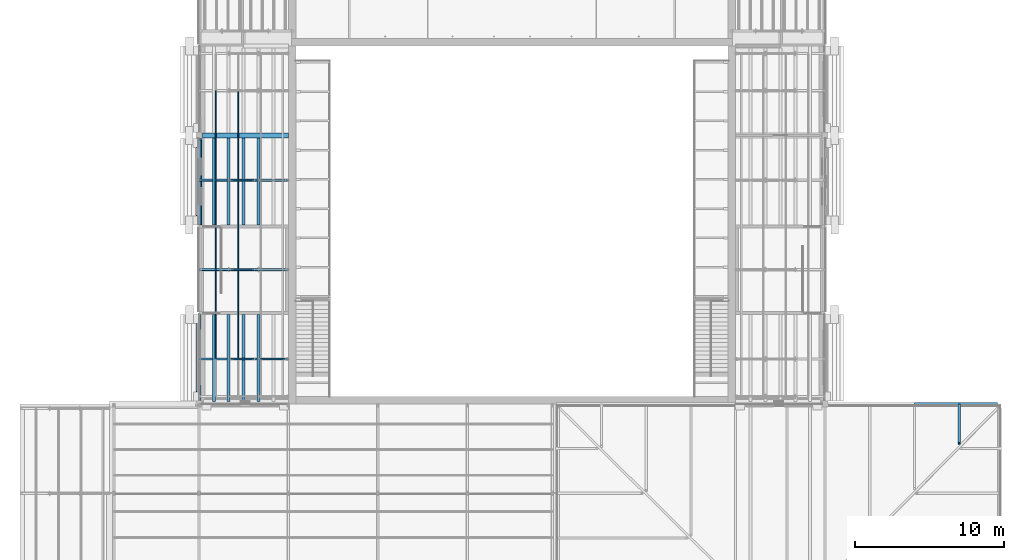
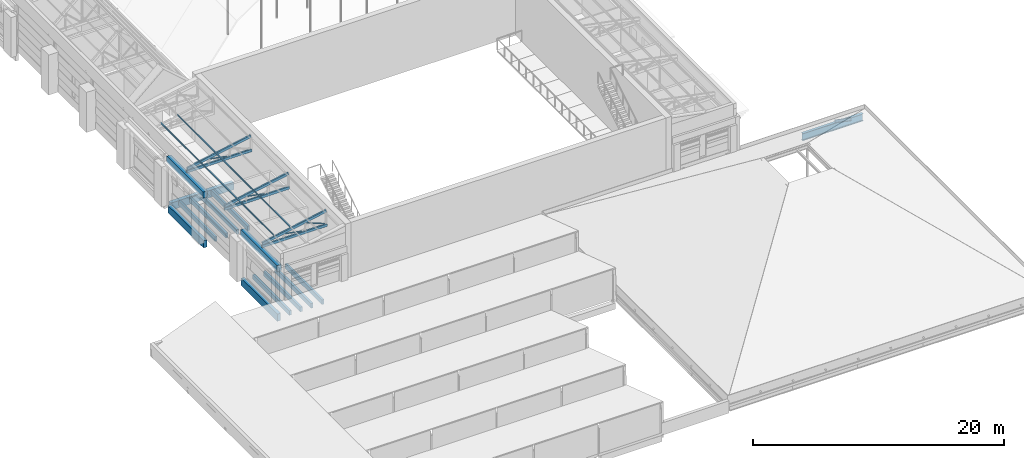
# One storey, part 25 of 118: 17 members, 14 beams.
"""IFC4 building model written with IfcOpenShell, lengths in metres."""

from ifc_helpers import new_model, si_unit, direction, frame, origin, origin_2d, place, context, subcontext, project, spatial, rectangle, hollow_rectangle, hollow_circle, i_section, extrude, material, material_profile, profile_set, type_object, element, save


model = new_model("IFC4")

# Units and contexts
model_context = context("Model", 3, precision=1e-05, world=origin(), true_north=direction((0.0, 1.0)))
body_context = subcontext(model_context, "Body", "Model", "MODEL_VIEW")
ifc_project = project(units=[si_unit("LENGTHUNIT", "METRE"), si_unit("AREAUNIT", "SQUARE_METRE"), si_unit("VOLUMEUNIT", "CUBIC_METRE"), si_unit("PLANEANGLEUNIT", "RADIAN"), si_unit("MASSUNIT", "GRAM", prefix="KILO")], contexts=[model_context])

# Site, building, storey
site_placement = place(None, origin())
site = spatial("IfcSite", under=ifc_project, at=site_placement, CompositionType="ELEMENT")
building_placement = place(site_placement, origin())
building = spatial("IfcBuilding", under=site, at=building_placement, Name="Saffron Lane Theatres", CompositionType="ELEMENT")
storey_placement = place(building_placement, frame((0.0, 0.0, 16.5)))
storey = spatial("IfcBuildingStorey", under=building, at=storey_placement, Name="L03", CompositionType="ELEMENT", Elevation=16.5)

# Beams
ifc_material_1 = material(Name="Concrete N40 (40 MPa)", Category="concrete")
ifc_material_profile_1 = material_profile(ifc_material_1, rectangle(XDim=0.300048828125, YDim=0.699951171875, at=origin_2d()))
ifc_profile_set_1 = profile_set([ifc_material_profile_1], Name="Concrete N40 (40 MPa)")
beam_type_1 = type_object("IfcBeamType", Name="RC-BEAM 300x700", PredefinedType="BEAM", material=ifc_profile_set_1)
beam_1_placement = place(storey_placement, frame((12.0, 30.22509765625, -0.60009765625), z_axis=(0.0, 1.0, 0.0), x_axis=(-1.0, 0.0, 0.0)))
element("IfcBeam", 1, at=beam_1_placement, inside=storey, type_object=beam_type_1, Name="beam-L03-y120-302", PredefinedType="BEAM", context=body_context, shape_type="SweptSolid", body=[
    extrude(rectangle(XDim=0.300048828125, YDim=0.699951171875, at=origin_2d()), origin(), (0.0, 0.0, 1.0), 5.77490234375),
])
beam_2_placement = place(storey_placement, frame((12.0, 42.0, -0.60009765625), z_axis=(0.0, 1.0, 0.0), x_axis=(-1.0, 0.0, 0.0)))
element("IfcBeam", 2, at=beam_2_placement, inside=storey, type_object=beam_type_1, Name="beam-L03-y120-420", PredefinedType="BEAM", context=body_context, shape_type="SweptSolid", body=[
    extrude(rectangle(XDim=0.300048828125, YDim=0.699951171875, at=origin_2d()), origin(), (0.0, 0.0, 1.0), 5.699951171875),
])
ifc_material_2 = material(Name="Concrete N40 (40 MPa)", Category="concrete")
ifc_material_profile_2 = material_profile(ifc_material_2, rectangle(XDim=0.35009765625, YDim=0.699951171875, at=origin_2d()))
ifc_profile_set_2 = profile_set([ifc_material_profile_2], Name="Concrete N40 (40 MPa)")
beam_type_2 = type_object("IfcBeamType", Name="RC-BEAM 350x700", PredefinedType="BEAM", material=ifc_profile_set_2)
beam_3_placement = place(storey_placement, frame((12.22509765625, 48.0, -0.60009765625), z_axis=(1.0, 0.0, 0.0), x_axis=(0.0, 1.0, 0.0)))
element("IfcBeam", 3, at=beam_3_placement, inside=storey, type_object=beam_type_2, Name="beam-L03-x480-122", PredefinedType="BEAM", context=body_context, shape_type="SweptSolid", body=[
    extrude(rectangle(XDim=0.35009765625, YDim=0.699951171875, at=origin_2d()), origin(), (0.0, 0.0, 1.0), 5.77490234375),
])
ifc_material_3 = material(Name="Concrete N40 (40 MPa)", Category="concrete")
ifc_material_profile_3 = material_profile(ifc_material_3, rectangle(XDim=0.39990234375, YDim=0.60009765625, at=origin_2d()))
ifc_profile_set_3 = profile_set([ifc_material_profile_3], Name="Concrete N40 (40 MPa)")
beam_type_3 = type_object("IfcBeamType", Name="RC-BEAM 400x600", PredefinedType="BEAM", material=ifc_profile_set_3)
for number, where, z_axis, x_axis, name in (
    (4, (12.0, 30.199951171875, 4.199951171875), (0.0, 1.0, 0.0), (-1.0, 0.0, 0.0), "beam-roof-side-y120-1"),
    (5, (12.0, 42.0, 4.199951171875), (0.0, 1.0, 0.0), (-1.0, 0.0, 0.0), "beam-roof-side-y120-2"),
):
    element("IfcBeam", number, at=place(storey_placement, frame(where, z_axis=z_axis, x_axis=x_axis)), inside=storey, type_object=beam_type_3, Name=name, PredefinedType="BEAM", context=body_context, shape_type="SweptSolid", body=[
        extrude(rectangle(XDim=0.39990234375, YDim=0.60009765625, at=origin_2d()), origin(), (0.0, 0.0, 1.0), 5.800048828125),
    ])
ifc_material_4 = material(Name="Concrete N40 (40 MPa)", Category="concrete")
ifc_material_profile_4 = material_profile(ifc_material_4, rectangle(XDim=0.199951171875, YDim=0.449951171875, at=origin_2d()))
ifc_profile_set_4 = profile_set([ifc_material_profile_4], Name="Concrete N40 (40 MPa)")
beam_type_4 = type_object("IfcBeamType", Name="RC-JOIST 200x450", PredefinedType="JOIST", material=ifc_profile_set_4)
for number, where, z_axis, x_axis, name in (
    (6, (13.0, 30.14990234375, -0.47509765625), (0.0, 1.0, 0.0), (-1.0, 0.0, 0.0), "joist-L03-y1300-302"),
    (7, (14.0, 30.14990234375, -0.47509765625), (0.0, 1.0, 0.0), (-1.0, 0.0, 0.0), "joist-L03-y1400-302"),
    (8, (15.0, 30.14990234375, -0.47509765625), (0.0, 1.0, 0.0), (-1.0, 0.0, 0.0), "joist-L03-y1500-302"),
    (9, (16.0, 30.14990234375, -0.47509765625), (0.0, 1.0, 0.0), (-1.0, 0.0, 0.0), "joist-L03-y1600-302"),
):
    element("IfcBeam", number, at=place(storey_placement, frame(where, z_axis=z_axis, x_axis=x_axis)), inside=storey, type_object=beam_type_4, Name=name, PredefinedType="JOIST", context=body_context, shape_type="SweptSolid", body=[
        extrude(rectangle(XDim=0.199951171875, YDim=0.449951171875, at=origin_2d()), origin(), (0.0, 0.0, 1.0), 5.85009765625),
    ])
for number, where, z_axis, x_axis, name in (
    (10, (13.0, 42.0, -0.47509765625), (0.0, 1.0, 0.0), (-1.0, 0.0, 0.0), "joist-L03-y1300-420"),
    (11, (14.0, 42.0, -0.47509765625), (0.0, 1.0, 0.0), (-1.0, 0.0, 0.0), "joist-L03-y1400-420"),
    (12, (15.0, 42.0, -0.47509765625), (0.0, 1.0, 0.0), (-1.0, 0.0, 0.0), "joist-L03-y1500-420"),
    (13, (16.0, 42.0, -0.47509765625), (0.0, 1.0, 0.0), (-1.0, 0.0, 0.0), "joist-L03-y1600-420"),
):
    element("IfcBeam", number, at=place(storey_placement, frame(where, z_axis=z_axis, x_axis=x_axis)), inside=storey, type_object=beam_type_4, Name=name, PredefinedType="JOIST", context=body_context, shape_type="SweptSolid", body=[
        extrude(rectangle(XDim=0.199951171875, YDim=0.449951171875, at=origin_2d()), origin(), (0.0, 0.0, 1.0), 5.824951171875),
    ])
ifc_material_5 = material(Name="Steel Grade 350", Category="steel")
ifc_material_profile_5 = material_profile(ifc_material_5, i_section(OverallWidth=0.25, OverallDepth=0.699951171875, WebThickness=0.010009765625, FlangeThickness=0.02001953125, at=origin_2d()))
ifc_profile_set_5 = profile_set([ifc_material_profile_5], Name="Steel Grade 350")
beam_type_5 = type_object("IfcBeamType", Name="ST-EAVE BEAM 700WB130", PredefinedType="BEAM", material=ifc_profile_set_5)
beam_4_placement = place(storey_placement, frame((60.0, 29.949951171875, 0.35009765625), z_axis=(1.0, 0.0, 0.0), x_axis=(0.0, 1.0, 0.0)))
element("IfcBeam", 14, at=beam_4_placement, inside=storey, type_object=beam_type_5, Name="SE8", PredefinedType="BEAM", context=body_context, shape_type="SweptSolid", body=[
    extrude(i_section(OverallWidth=0.25, OverallDepth=0.699951171875, WebThickness=0.010009765625, FlangeThickness=0.02001953125, at=origin_2d()), origin(), (0.0, 0.0, 1.0), 5.574951171875),
])

# Members
ifc_material_6 = material(Name="Steel Grade 350", Category="steel")
ifc_material_profile_6 = material_profile(ifc_material_6, i_section(OverallWidth=0.14599609375, OverallDepth=0.251953125, WebThickness=0.006103515625, FlangeThickness=0.008544921875, FilletRadius=0.011962890625, at=origin_2d()))
ifc_profile_set_6 = profile_set([ifc_material_profile_6], Name="Steel Grade 350")
member_type_1 = type_object("IfcMemberType", Name="ST-JACK RAFTER 250UB31.4", PredefinedType="RAFTER", material=ifc_profile_set_6)
member_1_placement = place(storey_placement, frame((63.0, 29.923095703125, 0.80419921875), z_axis=(0.0, -0.822942104895, 0.568125243226), x_axis=(1.0, 0.0, 0.0)))
element("IfcMember", 15, at=member_1_placement, inside=storey, type_object=member_type_1, Name="SK18", PredefinedType="RAFTER", context=body_context, shape_type="SweptSolid", body=[
    extrude(i_section(OverallWidth=0.14599609375, OverallDepth=0.251953125, WebThickness=0.006103515625, FlangeThickness=0.008544921875, FilletRadius=0.011962890625, at=origin_2d()), origin(), (0.0, 0.0, 1.0), 3.126220703125),
])
ifc_material_7 = material(Name="Steel Grade 350", Category="steel")
ifc_material_profile_7 = material_profile(ifc_material_7, i_section(OverallWidth=0.074951171875, OverallDepth=0.155029296875, WebThickness=0.006103515625, FlangeThickness=0.009521484375, FilletRadius=0.008056640625, at=origin_2d()))
ifc_profile_set_7 = profile_set([ifc_material_profile_7], Name="Steel Grade 350")
member_type_2 = type_object("IfcMemberType", Name="ST-STUDIO PURLIN 150UB18.0", PredefinedType="PURLIN", material=ifc_profile_set_7)
for number, where, z_axis, x_axis, name in (
    (16, (13.137451171875, 33.0, 5.304443359375), (0.0, 1.0, 0.0), (-0.981660567439, 0.0, -0.190637169344), "SB3-U44"),
    (17, (13.137451171875, 39.0, 5.304443359375), (0.0, 1.0, 0.0), (-0.981660567439, 0.0, -0.190637169344), "SB3-U45"),
    (18, (13.137451171875, 45.0, 5.304443359375), (0.0, 1.0, 0.0), (-0.981660567439, 0.0, -0.190637169344), "SB3-U46"),
    (19, (14.637451171875, 33.0, 5.595947265625), (0.0, 1.0, 0.0), (-0.981660567439, 0.0, -0.190637169344), "SB3-U49"),
    (20, (14.637451171875, 39.0, 5.595947265625), (0.0, 1.0, 0.0), (-0.981660567439, 0.0, -0.190637169344), "SB3-U50"),
    (21, (14.637451171875, 45.0, 5.595947265625), (0.0, 1.0, 0.0), (-0.981660567439, 0.0, -0.190637169344), "SB3-U51"),
):
    element("IfcMember", number, at=place(storey_placement, frame(where, z_axis=z_axis, x_axis=x_axis)), inside=storey, type_object=member_type_2, Name=name, PredefinedType="PURLIN", context=body_context, shape_type="SweptSolid", body=[
        extrude(i_section(OverallWidth=0.074951171875, OverallDepth=0.155029296875, WebThickness=0.006103515625, FlangeThickness=0.009521484375, FilletRadius=0.008056640625, at=origin_2d()), origin(), (0.0, 0.0, 1.0), 6.0),
    ])
ifc_material_8 = material(Name="Steel Grade 350", Category="steel")
ifc_material_profile_8 = material_profile(ifc_material_8, hollow_rectangle(XDim=0.14990234375, YDim=0.25, WallThickness=0.009033203125, InnerFilletRadius=0.00439453125, OuterFilletRadius=0.013427734375, at=origin_2d()))
ifc_profile_set_8 = profile_set([ifc_material_profile_8], Name="Steel Grade 350")
member_type_3 = type_object("IfcMemberType", Name="ST-STUDIO TRUSS CHORD 250x150x9 RHS", PredefinedType="CHORD", material=ifc_profile_set_8)
member_2_placement = place(storey_placement, frame((12.02001953125, 33.0, 4.625), z_axis=(1.0, 0.0, 0.0), x_axis=(0.0, 1.0, 0.0)))
element("IfcMember", 22, at=member_2_placement, inside=storey, type_object=member_type_3, Name="SB3-T8", PredefinedType="CHORD", context=body_context, shape_type="SweptSolid", body=[
    extrude(hollow_rectangle(XDim=0.14990234375, YDim=0.25, WallThickness=0.009033203125, InnerFilletRadius=0.00439453125, OuterFilletRadius=0.013427734375, at=origin_2d()), origin(), (0.0, 0.0, 1.0), 5.97998046875),
])
member_3_placement = place(storey_placement, frame((12.0537109375, 33.0, 4.8876953125), z_axis=(0.981654109324, 0.0, 0.190670421534), x_axis=(0.0, 1.0, 0.0)))
element("IfcMember", 23, at=member_3_placement, inside=storey, type_object=member_type_3, Name="SB3-C9", PredefinedType="CHORD", context=body_context, shape_type="SweptSolid", body=[
    extrude(hollow_rectangle(XDim=0.14990234375, YDim=0.25, WallThickness=0.009033203125, InnerFilletRadius=0.00439453125, OuterFilletRadius=0.013427734375, at=origin_2d()), origin(), (0.0, 0.0, 1.0), 5.969482421875),
])
member_4_placement = place(storey_placement, frame((12.02001953125, 39.0, 4.625), z_axis=(1.0, 0.0, 0.0), x_axis=(0.0, 1.0, 0.0)))
element("IfcMember", 24, at=member_4_placement, inside=storey, type_object=member_type_3, Name="SB3-T15", PredefinedType="CHORD", context=body_context, shape_type="SweptSolid", body=[
    extrude(hollow_rectangle(XDim=0.14990234375, YDim=0.25, WallThickness=0.009033203125, InnerFilletRadius=0.00439453125, OuterFilletRadius=0.013427734375, at=origin_2d()), origin(), (0.0, 0.0, 1.0), 5.97998046875),
])
member_5_placement = place(storey_placement, frame((12.0537109375, 39.0, 4.8876953125), z_axis=(0.981654109324, 0.0, 0.190670421534), x_axis=(0.0, 1.0, 0.0)))
element("IfcMember", 25, at=member_5_placement, inside=storey, type_object=member_type_3, Name="SB3-C16", PredefinedType="CHORD", context=body_context, shape_type="SweptSolid", body=[
    extrude(hollow_rectangle(XDim=0.14990234375, YDim=0.25, WallThickness=0.009033203125, InnerFilletRadius=0.00439453125, OuterFilletRadius=0.013427734375, at=origin_2d()), origin(), (0.0, 0.0, 1.0), 5.969482421875),
])
member_6_placement = place(storey_placement, frame((12.02001953125, 45.0, 4.625), z_axis=(1.0, 0.0, 0.0), x_axis=(0.0, 1.0, 0.0)))
element("IfcMember", 26, at=member_6_placement, inside=storey, type_object=member_type_3, Name="SB3-T22", PredefinedType="CHORD", context=body_context, shape_type="SweptSolid", body=[
    extrude(hollow_rectangle(XDim=0.14990234375, YDim=0.25, WallThickness=0.009033203125, InnerFilletRadius=0.00439453125, OuterFilletRadius=0.013427734375, at=origin_2d()), origin(), (0.0, 0.0, 1.0), 5.97998046875),
])
member_7_placement = place(storey_placement, frame((12.0537109375, 45.0, 4.8876953125), z_axis=(0.981654109324, 0.0, 0.190670421534), x_axis=(0.0, 1.0, 0.0)))
element("IfcMember", 27, at=member_7_placement, inside=storey, type_object=member_type_3, Name="SB3-C23", PredefinedType="CHORD", context=body_context, shape_type="SweptSolid", body=[
    extrude(hollow_rectangle(XDim=0.14990234375, YDim=0.25, WallThickness=0.009033203125, InnerFilletRadius=0.00439453125, OuterFilletRadius=0.013427734375, at=origin_2d()), origin(), (0.0, 0.0, 1.0), 5.969482421875),
])
ifc_material_9 = material(Name="Steel Grade 350", Category="steel")
ifc_material_profile_9 = material_profile(ifc_material_9, hollow_circle(Radius=0.05712890625, WallThickness=0.006103515625, at=origin_2d()))
ifc_profile_set_9 = profile_set([ifc_material_profile_9], Name="Steel Grade 350")
member_type_4 = type_object("IfcMemberType", Name="ST-STUDIO TRUSS WEB 114.3x6.0 CHS", PredefinedType="BRACE", material=ifc_profile_set_9)
member_8_placement = place(storey_placement, frame((17.80517578125, 33.0, 4.802978515625), z_axis=(-0.928149794968, 0.0, 0.372206875409), x_axis=(0.0, -1.0, 0.0)))
element("IfcMember", 28, at=member_8_placement, inside=storey, type_object=member_type_4, Name="SB3-W13", PredefinedType="BRACE", context=body_context, shape_type="SweptSolid", body=[
    extrude(hollow_circle(Radius=0.05712890625, WallThickness=0.006103515625, at=origin_2d()), origin(), (0.0, 0.0, 1.0), 1.856201171875),
])
for number, where, z_axis, x_axis, name in (
    (29, (15.711181640625, 33.0, 4.80615234375), (-0.981678802594, 0.0, 0.190543245845), (0.0, -1.0, 0.0), "SB3-W14"),
    (30, (15.711181640625, 39.0, 4.80615234375), (-0.981678802594, 0.0, 0.190543245845), (0.0, -1.0, 0.0), "SB3-W21"),
    (31, (15.711181640625, 45.0, 4.80615234375), (-0.981678802594, 0.0, 0.190543245845), (0.0, -1.0, 0.0), "SB3-W28"),
):
    element("IfcMember", number, at=place(storey_placement, frame(where, z_axis=z_axis, x_axis=x_axis)), inside=storey, type_object=member_type_4, Name=name, PredefinedType="BRACE", context=body_context, shape_type="SweptSolid", body=[
        extrude(hollow_circle(Radius=0.05712890625, WallThickness=0.006103515625, at=origin_2d()), origin(), (0.0, 0.0, 1.0), 1.6015625),
    ])

save(model, "model.ifc")
